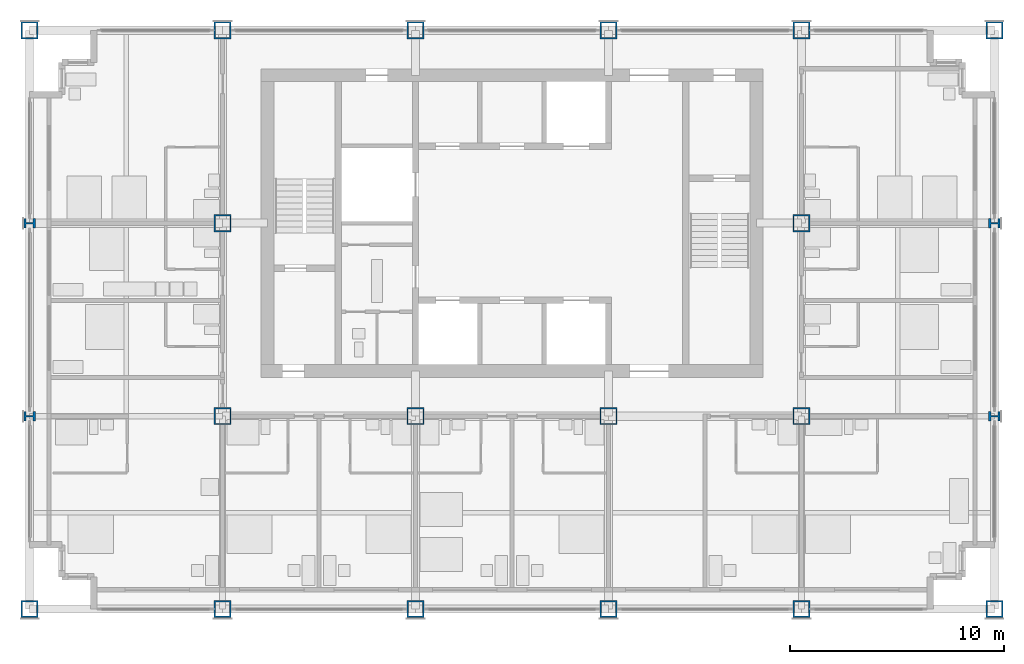
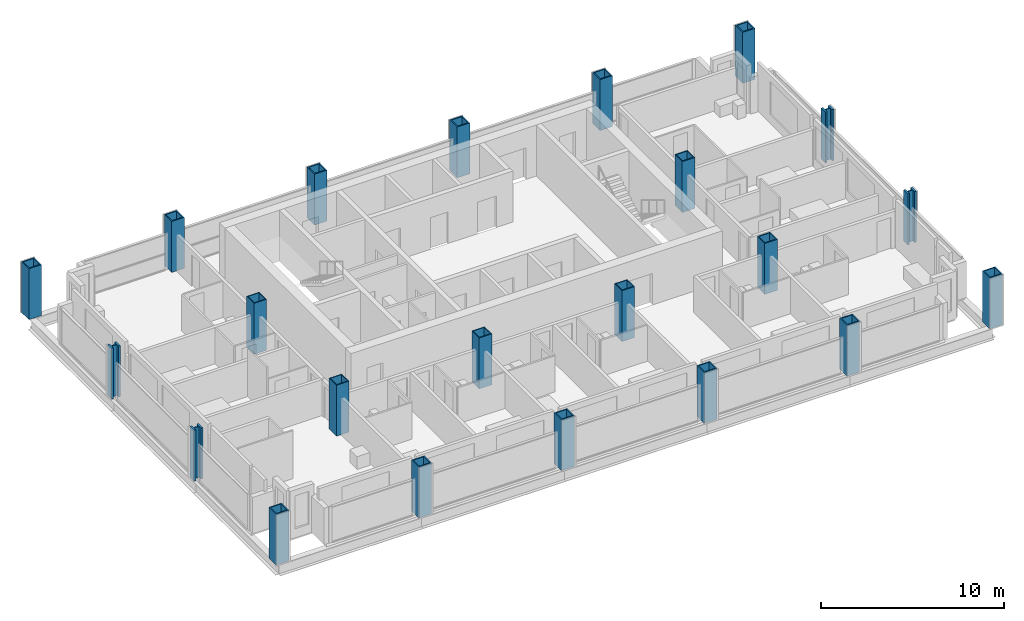
# One storey, part 1 of 14: 22 columns.
"""IFC4 building model written with IfcOpenShell, lengths in metres."""

from ifc_helpers import new_model, si_unit, direction, frame, origin, origin_2d, place, context, subcontext, project, spatial, hollow_rectangle, i_section, extrude, material, material_profile, profile_set, type_object, element, save


model = new_model("IFC4")

# Units and contexts
model_context = context("Model", 3, precision=1e-05, world=origin(), true_north=direction((0.0, 1.0)))
body_context = subcontext(model_context, "Body", "Model", "MODEL_VIEW")
ifc_project = project(units=[si_unit("LENGTHUNIT", "METRE"), si_unit("AREAUNIT", "SQUARE_METRE"), si_unit("VOLUMEUNIT", "CUBIC_METRE"), si_unit("PLANEANGLEUNIT", "RADIAN"), si_unit("MASSUNIT", "GRAM", prefix="KILO")], contexts=[model_context])

# Site, building, storey
site_placement = place(None, origin())
site = spatial("IfcSite", under=ifc_project, at=site_placement, CompositionType="ELEMENT")
building_placement = place(site_placement, origin())
building = spatial("IfcBuilding", under=site, at=building_placement, Name="Loomwork Tower", CompositionType="ELEMENT")
storey_placement = place(building_placement, frame((0.0, 0.0, 167.199951171875)))
storey = spatial("IfcBuildingStorey", under=building, at=storey_placement, Name="L45", CompositionType="ELEMENT", Elevation=167.199951171875)

# Columns
ifc_material_1 = material(Name="Steel ASTM A572 Grade 50 plate", Category="steel")
ifc_material_profile_1 = material_profile(ifc_material_1, hollow_rectangle(XDim=0.800048828125, YDim=0.800048828125, WallThickness=0.070068359375, at=origin_2d()), Name="BOX800x70")
ifc_profile_set_1 = profile_set([ifc_material_profile_1], Name="Steel ASTM A572 Grade 50 plate")
column_type_1 = type_object("IfcColumnType", Name="EXOSKELETON PIER BOX800x70", PredefinedType="COLUMN", material=ifc_profile_set_1)
for number, where, z_axis, x_axis, name in (
    (1, (0.0, 0.0, 0.0), (0.0, 0.0, 1.0), (1.0, 0.0, 0.0), "Exoskeleton Pier D/2 L45"),
    (2, (0.0, 27.0, 0.0), (0.0, 0.0, 1.0), (0.0, 1.0, 0.0), "Exoskeleton Pier G/2 L45"),
    (3, (9.0, 0.0, 0.0), (0.0, 0.0, 1.0), (1.0, 0.0, 0.0), "Exoskeleton Pier D/3 L45"),
    (4, (9.0, 27.0, 0.0), (0.0, 0.0, 1.0), (1.0, 0.0, 0.0), "Exoskeleton Pier G/3 L45"),
    (5, (18.0, 0.0, 0.0), (0.0, 0.0, 1.0), (1.0, 0.0, 0.0), "Exoskeleton Pier D/4 L45"),
    (6, (18.0, 27.0, 0.0), (0.0, 0.0, 1.0), (1.0, 0.0, 0.0), "Exoskeleton Pier G/4 L45"),
    (7, (27.0, 0.0, 0.0), (0.0, 0.0, 1.0), (1.0, 0.0, 0.0), "Exoskeleton Pier D/5 L45"),
    (8, (27.0, 27.0, 0.0), (0.0, 0.0, 1.0), (1.0, 0.0, 0.0), "Exoskeleton Pier G/5 L45"),
    (9, (36.0, 0.0, 0.0), (0.0, 0.0, 1.0), (1.0, 0.0, 0.0), "Exoskeleton Pier D/6 L45"),
    (10, (36.0, 27.0, 0.0), (0.0, 0.0, 1.0), (1.0, 0.0, 0.0), "Exoskeleton Pier G/6 L45"),
    (11, (45.0, 0.0, 0.0), (0.0, 0.0, 1.0), (1.0, 0.0, 0.0), "Exoskeleton Pier D/7 L45"),
    (12, (45.0, 27.0, 0.0), (0.0, 0.0, 1.0), (0.0, 1.0, 0.0), "Exoskeleton Pier G/7 L45"),
):
    element("IfcColumn", number, at=place(storey_placement, frame(where, z_axis=z_axis, x_axis=x_axis)), inside=storey, type_object=column_type_1, Name=name, PredefinedType="COLUMN", context=body_context, shape_type="SweptSolid", body=[
        extrude(hollow_rectangle(XDim=0.800048828125, YDim=0.800048828125, WallThickness=0.070068359375, at=origin_2d()), origin(), (0.0, 0.0, 1.0), 3.400146484375),
    ])
ifc_material_2 = material(Name="Steel ASTM A992", Category="steel")
ifc_material_profile_2 = material_profile(ifc_material_2, i_section(OverallWidth=0.449462890625, OverallDepth=0.548583984375, WebThickness=0.07177734375, FlangeThickness=0.11474609375, at=origin_2d()), Name="W14x665")
ifc_profile_set_2 = profile_set([ifc_material_profile_2], Name="Steel ASTM A992")
column_type_2 = type_object("IfcColumnType", Name="EXOSKELETON PIER W14x665", PredefinedType="COLUMN", material=ifc_profile_set_2)
for number, where, z_axis, x_axis, name in (
    (13, (0.0, 9.0, 0.0), (0.0, 0.0, 1.0), (0.0, 1.0, 0.0), "Exoskeleton Pier E/2 L45"),
    (14, (0.0, 18.0, 0.0), (0.0, 0.0, 1.0), (0.0, 1.0, 0.0), "Exoskeleton Pier F/2 L45"),
    (15, (45.0, 9.0, 0.0), (0.0, 0.0, 1.0), (0.0, 1.0, 0.0), "Exoskeleton Pier E/7 L45"),
    (16, (45.0, 18.0, 0.0), (0.0, 0.0, 1.0), (0.0, 1.0, 0.0), "Exoskeleton Pier F/7 L45"),
):
    element("IfcColumn", number, at=place(storey_placement, frame(where, z_axis=z_axis, x_axis=x_axis)), inside=storey, type_object=column_type_2, Name=name, PredefinedType="COLUMN", context=body_context, shape_type="SweptSolid", body=[
        extrude(i_section(OverallWidth=0.449462890625, OverallDepth=0.548583984375, WebThickness=0.07177734375, FlangeThickness=0.11474609375, at=origin_2d()), origin(), (0.0, 0.0, 1.0), 3.400146484375),
    ])
ifc_material_3 = material(Name="Steel ASTM A572 Grade 50 plate", Category="steel")
ifc_material_profile_3 = material_profile(ifc_material_3, hollow_rectangle(XDim=0.800048828125, YDim=0.800048828125, WallThickness=0.06005859375, at=origin_2d()), Name="BOX800x60")
ifc_profile_set_3 = profile_set([ifc_material_profile_3], Name="Steel ASTM A572 Grade 50 plate")
column_type_3 = type_object("IfcColumnType", Name="TOWER COLUMN BOX800x60", PredefinedType="COLUMN", material=ifc_profile_set_3)
for number, where, z_axis, x_axis, name in (
    (17, (9.0, 9.0, 0.0), (0.0, 0.0, 1.0), (1.0, 0.0, 0.0), "Tower Column E/3 L45"),
    (18, (9.0, 18.0, 0.0), (0.0, 0.0, 1.0), (1.0, 0.0, 0.0), "Tower Column F/3 L45"),
    (19, (18.0, 9.0, 0.0), (0.0, 0.0, 1.0), (1.0, 0.0, 0.0), "Tower Column E/4 L45"),
    (20, (27.0, 9.0, 0.0), (0.0, 0.0, 1.0), (1.0, 0.0, 0.0), "Tower Column E/5 L45"),
    (21, (36.0, 9.0, 0.0), (0.0, 0.0, 1.0), (0.0, 1.0, 0.0), "Tower Column E/6 L45"),
    (22, (36.0, 18.0, 0.0), (0.0, 0.0, 1.0), (0.0, 1.0, 0.0), "Tower Column F/6 L45"),
):
    element("IfcColumn", number, at=place(storey_placement, frame(where, z_axis=z_axis, x_axis=x_axis)), inside=storey, type_object=column_type_3, Name=name, PredefinedType="COLUMN", context=body_context, shape_type="SweptSolid", body=[
        extrude(hollow_rectangle(XDim=0.800048828125, YDim=0.800048828125, WallThickness=0.06005859375, at=origin_2d()), origin(), (0.0, 0.0, 1.0), 3.400146484375),
    ])

save(model, "model.ifc")
